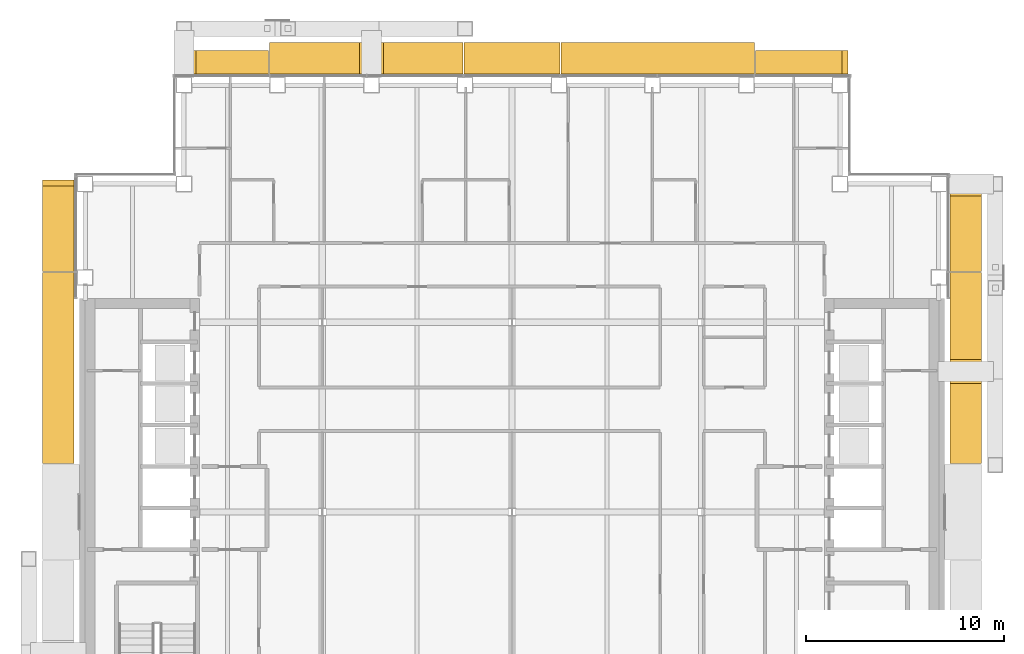
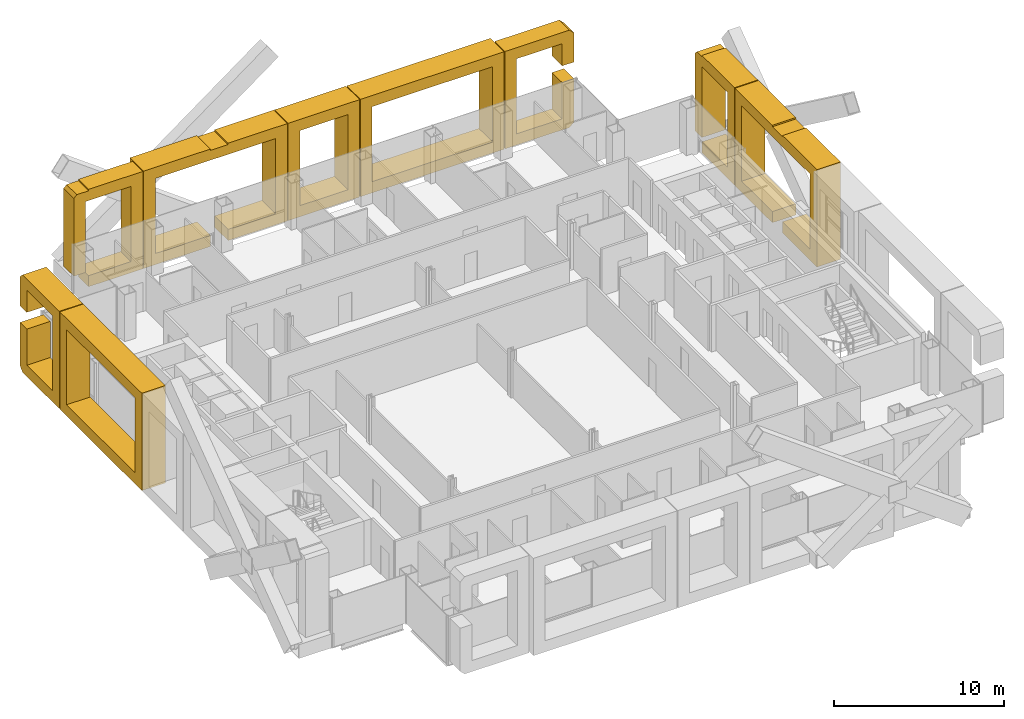
# One storey, part 21 of 22: 9 coverings.
"""IFC4 building model written with IfcOpenShell, lengths in metres."""

from ifc_helpers import new_model, si_unit, direction, frame, origin, place, context, subcontext, project, spatial, polyline, outline, extrude, material, type_object, element, save


model = new_model("IFC4")

# Units and contexts
model_context = context("Model", 3, precision=1e-05, world=origin(), true_north=direction((0.0, 1.0)))
body_context = subcontext(model_context, "Body", "Model", "MODEL_VIEW")
ifc_project = project(units=[si_unit("LENGTHUNIT", "METRE"), si_unit("AREAUNIT", "SQUARE_METRE"), si_unit("VOLUMEUNIT", "CUBIC_METRE"), si_unit("PLANEANGLEUNIT", "RADIAN"), si_unit("MASSUNIT", "GRAM", prefix="KILO")], contexts=[model_context])

# Site, building, storey
site_placement = place(None, origin())
site = spatial("IfcSite", under=ifc_project, at=site_placement, CompositionType="ELEMENT")
building_placement = place(site_placement, origin())
building = spatial("IfcBuilding", under=site, at=building_placement, Name="Cobrizo Arcos Hotel Tower", CompositionType="ELEMENT")
storey_placement = place(building_placement, frame((0.0, 0.0, 176.0)))
storey = spatial("IfcBuildingStorey", under=building, at=storey_placement, Name="L45", CompositionType="ELEMENT", Elevation=176.0)

# Coverings
ifc_material = material(Name="Aluminium 6063-T6 anodised bronze", Category="aluminium")
covering_type_1 = type_object("IfcCoveringType", Name="FIN-F 1200", PredefinedType="CLADDING", material=ifc_material)
covering_1_placement = place(storey_placement, frame((17.0, 22.14990234375, 0.0), z_axis=(0.0, 1.0, 0.0), x_axis=(-1.0, 0.0, 0.0)))
element("IfcCovering", 1, at=covering_1_placement, inside=storey, type_object=covering_type_1, Name="Fin frame 191", PredefinedType="CLADDING", context=body_context, shape_type="SweptSolid", body=[
    extrude(outline(polyline([(0.0, 6.699951171875), (0.0, 4.60205078125), (0.800048828125, 4.60205078125), (0.800048828125, 6.199951171875), (3.889404296875, 6.199951171875), (3.889404296875, 0.800048828125), (0.800048828125, 0.800048828125), (0.800048828125, 3.39794921875), (0.0, 3.39794921875), (0.0, 0.300048828125), (0.300048828125, 0.0), (4.689208984375, 0.0), (4.689208984375, 7.0), (0.300048828125, 7.0), (0.0, 6.699951171875)])), origin(), (0.0, 0.0, 1.0), 1.2001953125),
])
covering_2_placement = place(storey_placement, frame((-12.310791015625, 22.14990234375, 0.0), z_axis=(0.0, 1.0, 0.0), x_axis=(-1.0, 0.0, 0.0)))
element("IfcCovering", 2, at=covering_2_placement, inside=storey, type_object=covering_type_1, Name="Fin frame 195", PredefinedType="CLADDING", context=body_context, shape_type="SweptSolid", body=[
    extrude(outline(polyline([(0.0, 0.0), (3.687255859375, 0.0), (3.687255859375, 0.800048828125), (0.800048828125, 0.800048828125), (0.800048828125, 6.199951171875), (3.889404296875, 6.199951171875), (3.889404296875, 1.10205078125), (4.689208984375, 1.10205078125), (4.689208984375, 6.699951171875), (4.4912109375, 6.89794921875), (3.687255859375, 6.89794921875), (3.687255859375, 7.0), (0.0, 7.0), (0.0, 0.0)])), origin(), (0.0, 0.0, 1.0), 1.2001953125),
])
covering_type_2 = type_object("IfcCoveringType", Name="FIN-F 1600", PredefinedType="CLADDING", material=ifc_material)
covering_3_placement = place(storey_placement, frame((12.2607421875, 22.14990234375, 0.0), z_axis=(0.0, 1.0, 0.0), x_axis=(-1.0, 0.0, 0.0)))
element("IfcCovering", 3, at=covering_3_placement, inside=storey, type_object=covering_type_2, Name="Fin frame 192", PredefinedType="CLADDING", context=body_context, shape_type="SweptSolid", body=[
    extrude(outline(polyline([(0.0, 7.0), (0.0, 0.0), (9.778564453125, 0.0), (9.778564453125, 7.0), (0.0, 7.0)]), holes=[polyline([(8.978515625, 0.800048828125), (0.800048828125, 0.800048828125), (0.800048828125, 6.199951171875), (8.978515625, 6.199951171875), (8.978515625, 0.800048828125)])]), origin(), (0.0, 0.0, 1.0), 1.60009765625),
])
covering_4_placement = place(storey_placement, frame((2.43212890625, 22.14990234375, 0.0), z_axis=(0.0, 1.0, 0.0), x_axis=(-1.0, 0.0, 0.0)))
element("IfcCovering", 4, at=covering_4_placement, inside=storey, type_object=covering_type_2, Name="Fin frame 193", PredefinedType="CLADDING", context=body_context, shape_type="SweptSolid", body=[
    extrude(outline(polyline([(0.0, 7.0), (0.0, 0.0), (4.8642578125, 0.0), (4.8642578125, 7.0), (0.0, 7.0)]), holes=[polyline([(4.064208984375, 0.800048828125), (0.800048828125, 0.800048828125), (0.800048828125, 6.199951171875), (4.064208984375, 6.199951171875), (4.064208984375, 0.800048828125)])]), origin(), (0.0, 0.0, 1.0), 1.60009765625),
])
covering_5_placement = place(storey_placement, frame((-2.482177734375, 22.14990234375, 0.0), z_axis=(0.0, 1.0, 0.0), x_axis=(-1.0, 0.0, 0.0)))
element("IfcCovering", 5, at=covering_5_placement, inside=storey, type_object=covering_type_2, Name="Fin frame 194", PredefinedType="CLADDING", context=body_context, shape_type="SweptSolid", body=[
    extrude(outline(polyline([(0.0, 0.0), (4.0302734375, 0.0), (4.0302734375, 0.800048828125), (0.800048828125, 0.800048828125), (0.800048828125, 6.199951171875), (8.978515625, 6.199951171875), (8.978515625, 0.800048828125), (5.234130859375, 0.800048828125), (5.234130859375, 0.0), (9.778564453125, 0.0), (9.778564453125, 7.0), (5.234130859375, 7.0), (5.234130859375, 6.89794921875), (4.0302734375, 6.89794921875), (4.0302734375, 7.0), (0.0, 7.0), (0.0, 0.0)])), origin(), (0.0, 0.0, 1.0), 1.60009765625),
])
covering_6_placement = place(storey_placement, frame((22.14990234375, 2.45361328125, 0.0), z_axis=(1.0, 0.0, 0.0), x_axis=(0.0, 1.0, 0.0)))
element("IfcCovering", 6, at=covering_6_placement, inside=storey, type_object=covering_type_2, Name="Fin frame 224", PredefinedType="CLADDING", context=body_context, shape_type="SweptSolid", body=[
    extrude(outline(polyline([(0.0, 0.0), (4.05859375, 0.0), (4.05859375, 0.800048828125), (0.800048828125, 0.800048828125), (0.800048828125, 6.199951171875), (8.8642578125, 6.199951171875), (8.8642578125, 0.800048828125), (5.2626953125, 0.800048828125), (5.2626953125, 0.0), (9.664306640625, 0.0), (9.664306640625, 7.0), (5.2626953125, 7.0), (5.2626953125, 6.89794921875), (4.05859375, 6.89794921875), (4.05859375, 7.0), (0.0, 7.0), (0.0, 0.0)])), origin(), (0.0, 0.0, 1.0), 1.60009765625),
])
covering_7_placement = place(storey_placement, frame((22.14990234375, 12.16796875, 0.0), z_axis=(1.0, 0.0, 0.0), x_axis=(0.0, 1.0, 0.0)))
element("IfcCovering", 7, at=covering_7_placement, inside=storey, type_object=covering_type_2, Name="Fin frame 225", PredefinedType="CLADDING", context=body_context, shape_type="SweptSolid", body=[
    extrude(outline(polyline([(0.0, 0.0), (3.830078125, 0.0), (3.830078125, 0.800048828125), (0.800048828125, 0.800048828125), (0.800048828125, 6.199951171875), (3.83203125, 6.199951171875), (3.83203125, 1.10205078125), (4.632080078125, 1.10205078125), (4.632080078125, 6.699951171875), (4.43408203125, 6.89794921875), (3.830078125, 6.89794921875), (3.830078125, 7.0), (0.0, 7.0), (0.0, 0.0)])), origin(), (0.0, 0.0, 1.0), 1.60009765625),
])
covering_8_placement = place(storey_placement, frame((-22.14990234375, 16.800048828125, 0.0), z_axis=(-1.0, 0.0, 0.0), x_axis=(0.0, -1.0, 0.0)))
element("IfcCovering", 8, at=covering_8_placement, inside=storey, type_object=covering_type_2, Name="Fin frame 281", PredefinedType="CLADDING", context=body_context, shape_type="SweptSolid", body=[
    extrude(outline(polyline([(0.0, 6.699951171875), (0.0, 4.60205078125), (0.800048828125, 4.60205078125), (0.800048828125, 6.199951171875), (3.83203125, 6.199951171875), (3.83203125, 0.800048828125), (0.800048828125, 0.800048828125), (0.800048828125, 3.39794921875), (0.0, 3.39794921875), (0.0, 0.300048828125), (0.300048828125, 0.0), (4.632080078125, 0.0), (4.632080078125, 7.0), (0.300048828125, 7.0), (0.0, 6.699951171875)])), origin(), (0.0, 0.0, 1.0), 1.60009765625),
])
covering_9_placement = place(storey_placement, frame((-22.14990234375, 12.117919921875, 0.0), z_axis=(-1.0, 0.0, 0.0), x_axis=(0.0, -1.0, 0.0)))
element("IfcCovering", 9, at=covering_9_placement, inside=storey, type_object=covering_type_2, Name="Fin frame 282", PredefinedType="CLADDING", context=body_context, shape_type="SweptSolid", body=[
    extrude(outline(polyline([(0.0, 7.0), (0.0, 0.0), (9.664306640625, 0.0), (9.664306640625, 7.0), (0.0, 7.0)]), holes=[polyline([(8.8642578125, 0.800048828125), (0.800048828125, 0.800048828125), (0.800048828125, 6.199951171875), (8.8642578125, 6.199951171875), (8.8642578125, 0.800048828125)])]), origin(), (0.0, 0.0, 1.0), 1.60009765625),
])

save(model, "model.ifc")
